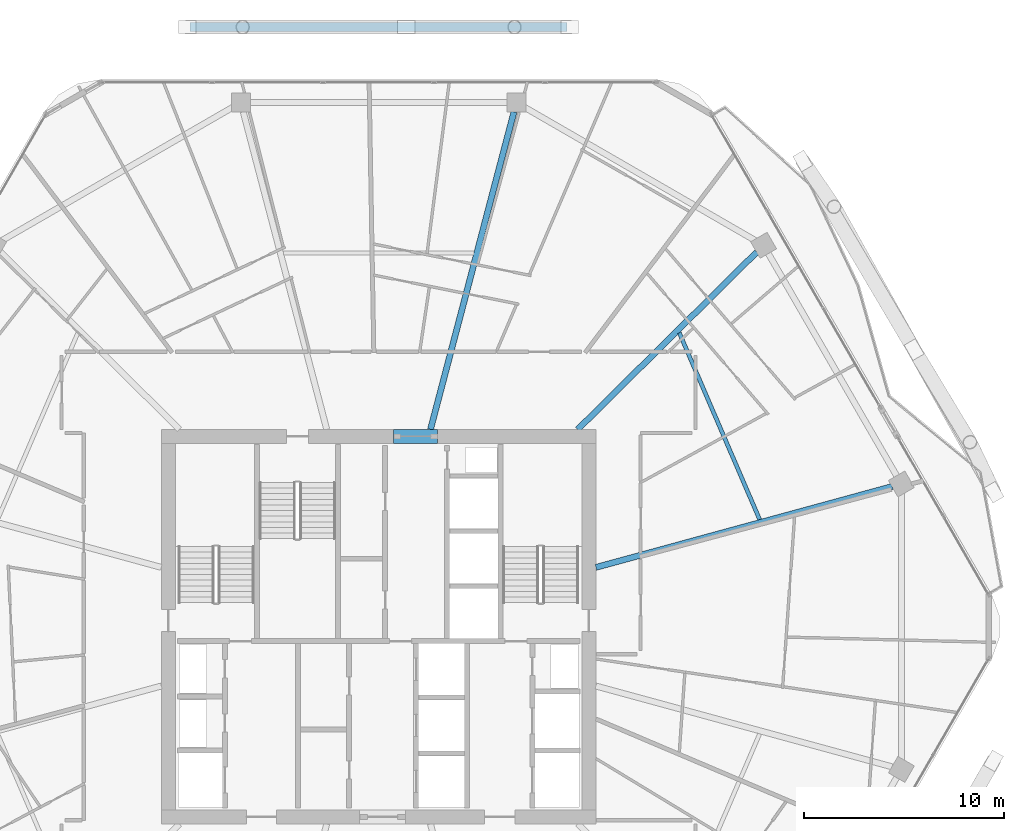
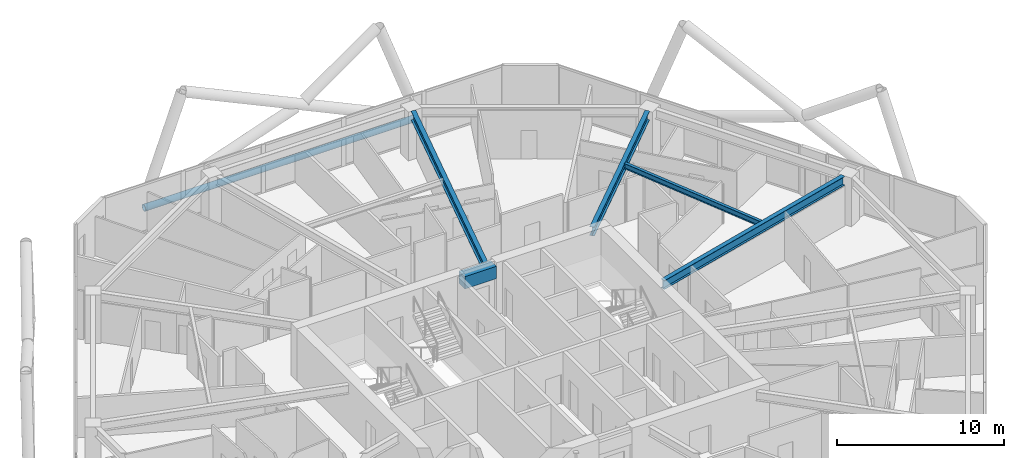
# One storey, part 15 of 29: 5 beams, 1 member.
"""IFC4 building model written with IfcOpenShell, lengths in metres."""

import ifcopenshell
import ifcopenshell.guid

model = None  # the IFC model being written
_history = None  # IfcOwnerHistory: only IFC2X3 demands one
_inside = {}  # id of a spatial element -> (the spatial element, [elements in it])
_under = {}  # id of a project, library or spatial element -> (it, [spatial elements below it])
_declared = {}  # id of a project -> (the project, [libraries it declares])
_typed = {}  # id of a type object -> (the type object, [elements of that type])
_made_of = {}  # id of a material, layer set ... -> (it, [elements and type objects made of it])


def new_model(schema):
    """Start an empty IFC model of exactly this schema.

    Asked for "IFC4X3", IfcOpenShell would pick the latest addendum, in which some entities
    have other attributes; the version numbers below select the first issue.
    IFC2X3 requires an IfcOwnerHistory on every rooted entity: one is made here for all.
    """
    global model, _history
    if schema == "IFC4X3":
        model = ifcopenshell.file(schema_version=(4, 3, 0, 0))
    else:
        model = ifcopenshell.file(schema=schema)
    _inside.clear()
    _under.clear()
    _declared.clear()
    _typed.clear()
    _made_of.clear()
    _history = None
    if model.schema == "IFC2X3":
        org = make("IfcOrganization", Name="unknown")
        user = make(
            "IfcPersonAndOrganization",
            ThePerson=make("IfcPerson", FamilyName="unknown"),
            TheOrganization=org,
        )
        app = make(
            "IfcApplication",
            ApplicationDeveloper=org,
            Version="unknown",
            ApplicationFullName="unknown",
            ApplicationIdentifier="unknown",
        )
        _history = make(
            "IfcOwnerHistory",
            OwningUser=user,
            OwningApplication=app,
            ChangeAction="ADDED",
            CreationDate=0,
        )
    return model


def make(cls, **values):
    """One entity of the class cls with the attributes given. An attribute that is None is left unset."""
    return model.create_entity(
        cls, **{name: value for name, value in values.items() if value is not None}
    )


def rooted(cls, **values):
    """An entity with a GlobalId (a new one), such as an element, a storey or a relation."""
    return make(cls, GlobalId=ifcopenshell.guid.new(), OwnerHistory=_history, **values)


def si_unit(unit_type, name, prefix=None):
    """IfcSIUnit, for example si_unit("LENGTHUNIT", "METRE", prefix="MILLI")."""
    return make("IfcSIUnit", UnitType=unit_type, Prefix=prefix, Name=name)


def assignment(units):
    """IfcUnitAssignment: the units of a project."""
    return None if units is None else make("IfcUnitAssignment", Units=units)


def point(xyz):
    """IfcCartesianPoint."""
    return None if xyz is None else make("IfcCartesianPoint", Coordinates=xyz)


def direction(xyz):
    """IfcDirection."""
    return None if xyz is None else make("IfcDirection", DirectionRatios=xyz)


def frame(location, z_axis=None, x_axis=None):
    """IfcAxis2Placement3D, a coordinate frame: its origin and axes. An axis left out is left unset."""
    return make(
        "IfcAxis2Placement3D",
        Location=point(location),
        Axis=direction(z_axis),
        RefDirection=direction(x_axis),
    )


def frame_2d(location, x_axis=None):
    """IfcAxis2Placement2D, a coordinate frame in the plane: its origin and x axis."""
    return make(
        "IfcAxis2Placement2D", Location=point(location), RefDirection=direction(x_axis)
    )


def origin():
    """The frame at (0, 0, 0) with its axes left unset."""
    return frame((0.0, 0.0, 0.0))


def origin_2d():
    """The frame at (0, 0) in the plane with its x axis left unset."""
    return frame_2d((0.0, 0.0))


def place(relative_to, where):
    """IfcLocalPlacement: puts the frame where relative to a parent placement (None: the world)."""
    return make(
        "IfcLocalPlacement", PlacementRelTo=relative_to, RelativePlacement=where
    )


def context(
    kind, dimensions, precision=None, world=None, true_north=None, identifier=None
):
    """IfcGeometricRepresentationContext, for example the 3D "Model" context."""
    return make(
        "IfcGeometricRepresentationContext",
        ContextIdentifier=identifier,
        ContextType=kind,
        CoordinateSpaceDimension=dimensions,
        Precision=precision,
        WorldCoordinateSystem=world,
        TrueNorth=true_north,
    )


def subcontext(parent, identifier, kind, view, scale=None):
    """IfcGeometricRepresentationSubContext, for example "Body" below "Model"."""
    return make(
        "IfcGeometricRepresentationSubContext",
        ContextIdentifier=identifier,
        ContextType=kind,
        ParentContext=parent,
        TargetScale=scale,
        TargetView=view,
    )


def project(units=None, contexts=None):
    """IfcProject with its units and contexts."""
    return rooted(
        "IfcProject",
        Name="project",
        RepresentationContexts=contexts,
        UnitsInContext=assignment(units),
    )


def spatial(cls, under=None, at=None, **own):
    """A site, building, storey or space (cls), placed at a placement, below another one or the project."""
    s = rooted(cls, ObjectPlacement=at, **own)
    if under is not None:
        _under.setdefault(under.id(), (under, []))[1].append(s)
    return s


def profile(cls, at=None, kind="AREA", **sizes):
    """A parametric profile (cls). Its sizes go by their IFC names, for example OverallWidth=200.0."""
    return make(cls, ProfileType=kind, Position=at, **sizes)


def rectangle(**sizes):
    """IfcRectangleProfileDef."""
    return profile("IfcRectangleProfileDef", **sizes)


def hollow_circle(**sizes):
    """IfcCircleHollowProfileDef."""
    return profile("IfcCircleHollowProfileDef", **sizes)


def i_section(**sizes):
    """IfcIShapeProfileDef."""
    return profile("IfcIShapeProfileDef", **sizes)


def extrude(swept, where, along, depth):
    """IfcExtrudedAreaSolid: the profile swept, set in the frame where, extruded along a direction by depth."""
    return make(
        "IfcExtrudedAreaSolid",
        SweptArea=swept,
        Position=where,
        ExtrudedDirection=direction(along),
        Depth=depth,
    )


def shape(context_of_items, identifier, shape_type, items):
    """IfcShapeRepresentation: the items that make up one representation, for example the "Body"."""
    return make(
        "IfcShapeRepresentation",
        ContextOfItems=context_of_items,
        RepresentationIdentifier=identifier,
        RepresentationType=shape_type,
        Items=items,
    )


def material(Name=None, Category=None):
    """IfcMaterial."""
    return make("IfcMaterial", Name=Name, Category=Category)


def material_profile(
    of_material, cross_section, Name=None, Category=None, Priority=None
):
    """IfcMaterialProfile: a cross section and its material."""
    return make(
        "IfcMaterialProfile",
        Name=Name,
        Material=of_material,
        Profile=cross_section,
        Priority=Priority,
        Category=Category,
    )


def profile_set(profiles, Name=None, composite=None):
    """IfcMaterialProfileSet."""
    return make(
        "IfcMaterialProfileSet",
        Name=Name,
        MaterialProfiles=profiles,
        CompositeProfile=composite,
    )


def made_of(thing, what):
    """Note that an element or type object is made of a material, layer set ...; save() writes the relation."""
    if what is not None:
        _made_of.setdefault(what.id(), (what, []))[1].append(thing)
    return thing


def type_object(cls, material=None, **own):
    """A type object (cls), such as IfcWallType, which elements share."""
    return made_of(rooted(cls, **own), material)


def element(
    cls,
    number,
    at=None,
    inside=None,
    cuts=None,
    type_object=None,
    material=None,
    context=None,
    identifier="Body",
    shape_type=None,
    held_by="IfcProductDefinitionShape",
    body=None,
    shapes=None,
    **own,
):
    """One element of the class cls, such as IfcWall. Its Tag is "e" and its number.

    at: its placement. inside: the storey or other place that contains it. cuts: it is an
    opening in that element (IfcRelVoidsElement). A single representation is given by context,
    identifier, shape_type and body (its items); several are given by shapes. held_by: the class
    of the entity that holds the representations. save() writes the other relations.
    """
    e = rooted(cls, Tag="e%d" % number, ObjectPlacement=at, **own)
    if body is not None:
        shapes = [shape(context, identifier, shape_type, body)]
    if shapes is not None:
        e.Representation = make(held_by, Representations=shapes)
    if inside is not None:
        _inside.setdefault(inside.id(), (inside, []))[1].append(e)
    if cuts is not None:
        rooted(
            "IfcRelVoidsElement", RelatingBuildingElement=cuts, RelatedOpeningElement=e
        )
    if type_object is not None:
        _typed.setdefault(type_object.id(), (type_object, []))[1].append(e)
    return made_of(e, material)


def aggregate(whole, parts):
    """IfcRelAggregates: a whole, such as a stair, and the parts it consists of."""
    return rooted("IfcRelAggregates", RelatingObject=whole, RelatedObjects=parts)


def save(model, path):
    """Write the relations noted so far, then the file.

    IfcRelAggregates (storeys below a building ...), IfcRelContainedInSpatialStructure (elements
    in a storey), IfcRelDefinesByType, IfcRelAssociatesMaterial and IfcRelDeclares: one each for
    every whole, place, type object, material and project.
    """
    for whole, parts in _under.values():
        aggregate(whole, parts)
    for where, things in _inside.values():
        rooted(
            "IfcRelContainedInSpatialStructure",
            RelatedElements=things,
            RelatingStructure=where,
        )
    for kind, things in _typed.values():
        rooted("IfcRelDefinesByType", RelatedObjects=things, RelatingType=kind)
    for what, things in _made_of.values():
        rooted("IfcRelAssociatesMaterial", RelatedObjects=things, RelatingMaterial=what)
    for by, libraries in _declared.values():
        rooted("IfcRelDeclares", RelatingContext=by, RelatedDefinitions=libraries)
    model.write(path)


model = new_model("IFC4")

# Units and contexts
model_context = context("Model", 3, precision=1e-05, world=origin(), true_north=direction((0.0, 1.0)))
body_context = subcontext(model_context, "Body", "Model", "MODEL_VIEW")
ifc_project = project(units=[si_unit("LENGTHUNIT", "METRE"), si_unit("AREAUNIT", "SQUARE_METRE"), si_unit("VOLUMEUNIT", "CUBIC_METRE"), si_unit("PLANEANGLEUNIT", "RADIAN"), si_unit("MASSUNIT", "GRAM", prefix="KILO")], contexts=[model_context])

# Site, building, storey
site_placement = place(None, origin())
site = spatial("IfcSite", under=ifc_project, at=site_placement, CompositionType="ELEMENT")
building_placement = place(site_placement, origin())
building = spatial("IfcBuilding", under=site, at=building_placement, Name="Zuhravey Tower", CompositionType="ELEMENT")
storey_placement = place(building_placement, frame((0.0, 0.0, 192.199951171875)))
storey = spatial("IfcBuildingStorey", under=building, at=storey_placement, Name="L48", CompositionType="ELEMENT", Elevation=192.199951171875)

# Beam
ifc_material_1 = material(Name="Concrete C60/75", Category="concrete")
ifc_material_profile_1 = material_profile(ifc_material_1, rectangle(XDim=0.699951171875, YDim=0.89990234375, at=origin_2d()), Name="RC-700x900")
ifc_profile_set_1 = profile_set([ifc_material_profile_1], Name="Concrete C60/75")
beam_type_1 = type_object("IfcBeamType", Name="Core Coupling Beam RC700x900", PredefinedType="LINTEL", material=ifc_profile_set_1)
beam_1_placement = place(storey_placement, frame((36.751953125, 41.5, 3.10009765625), z_axis=(1.0, 0.0, 0.0), x_axis=(0.0, 1.0, 0.0)))
element("IfcBeam", 1, at=beam_1_placement, inside=storey, type_object=beam_type_1, Name="L48 CB1 BM-L48-CB-N", PredefinedType="LINTEL", context=body_context, shape_type="SweptSolid", body=[
    extrude(rectangle(XDim=0.699951171875, YDim=0.89990234375, at=origin_2d()), origin(), (0.0, 0.0, 1.0), 2.196044921875),
])

# Member
ifc_material_2 = material(Name="Steel SM355", Category="steel")
ifc_material_profile_2 = material_profile(ifc_material_2, hollow_circle(Radius=0.228515625, WallThickness=0.02197265625, at=origin_2d()), Name="CHS-457.2x22")
ifc_profile_set_2 = profile_set([ifc_material_profile_2], Name="Steel SM355")
member_type = type_object("IfcMemberType", Name="Exoskeleton Ring Tie CHS457x22", PredefinedType="CHORD", material=ifc_profile_set_2)
member_placement = place(storey_placement, frame((45.4150390625, 61.943115234375, -0.4638671875), z_axis=(-1.0, 0.0, 0.0), x_axis=(0.0, -1.0, 0.0)))
element("IfcMember", 2, at=member_placement, inside=storey, type_object=member_type, Name="L48 Exoskeleton Face 2 Tie EXR1", PredefinedType="CHORD", context=body_context, shape_type="SweptSolid", body=[
    extrude(hollow_circle(Radius=0.228515625, WallThickness=0.02197265625, at=origin_2d()), origin(), (0.0, 0.0, 1.0), 18.830078125),
])

# Beams
ifc_material_profile_3 = material_profile(ifc_material_2, i_section(OverallWidth=0.300048828125, OverallDepth=0.64990234375, WebThickness=0.012939453125, FlangeThickness=0.02197265625, at=origin_2d()), Name="H-650x300x13x22")
ifc_profile_set_3 = profile_set([ifc_material_profile_3], Name="Steel SM355")
beam_type_2 = type_object("IfcBeamType", Name="Radial Primary Girder H650x300", PredefinedType="BEAM", material=ifc_profile_set_3)
beam_2_placement = place(storey_placement, frame((46.85302734375, 34.96240234375, 3.22509765625), z_axis=(0.964701703464, 0.263345065139, 0.0), x_axis=(-0.263345065139, 0.964701703464, 0.0)))
element("IfcBeam", 3, at=beam_2_placement, inside=storey, type_object=beam_type_2, Name="L48 RG2 BM-L48-RAD-01", PredefinedType="BEAM", context=body_context, shape_type="SweptSolid", body=[
    extrude(i_section(OverallWidth=0.300048828125, OverallDepth=0.64990234375, WebThickness=0.012939453125, FlangeThickness=0.02197265625, at=origin_2d()), origin(), (0.0, 0.0, 1.0), 15.334716796875),
])
beam_3_placement = place(storey_placement, frame((45.945556640625, 41.85302734375, 3.22509765625), z_axis=(0.710406645816, 0.703791444663, 0.0), x_axis=(-0.703791444663, 0.710406645816, 0.0)))
element("IfcBeam", 4, at=beam_3_placement, inside=storey, type_object=beam_type_2, Name="L48 RG2 BM-L48-RAD-02", PredefinedType="BEAM", context=body_context, shape_type="SweptSolid", body=[
    extrude(i_section(OverallWidth=0.300048828125, OverallDepth=0.64990234375, WebThickness=0.012939453125, FlangeThickness=0.02197265625, at=origin_2d()), origin(), (0.0, 0.0, 1.0), 12.5849609375),
])
beam_4_placement = place(storey_placement, frame((38.5908203125, 41.85302734375, 3.22509765625), z_axis=(0.254299806285, 0.967125435775, 0.0), x_axis=(-0.967125435775, 0.254299806285, 0.0)))
element("IfcBeam", 5, at=beam_4_placement, inside=storey, type_object=beam_type_2, Name="L48 RG2 BM-L48-RAD-03", PredefinedType="BEAM", context=body_context, shape_type="SweptSolid", body=[
    extrude(i_section(OverallWidth=0.300048828125, OverallDepth=0.64990234375, WebThickness=0.012939453125, FlangeThickness=0.02197265625, at=origin_2d()), origin(), (0.0, 0.0, 1.0), 16.396728515625),
])
ifc_material_profile_4 = material_profile(ifc_material_2, i_section(OverallWidth=0.199951171875, OverallDepth=0.39990234375, WebThickness=0.008056640625, FlangeThickness=0.012939453125, at=origin_2d()), Name="H-400x200x8x13")
ifc_profile_set_4 = profile_set([ifc_material_profile_4], Name="Steel SM355")
beam_type_3 = type_object("IfcBeamType", Name="Secondary Floor Joist H400x200", PredefinedType="JOIST", material=ifc_profile_set_4)
beam_5_placement = place(storey_placement, frame((55.029541015625, 37.3525390625, 3.35009765625), z_axis=(-0.395265853487, 0.918566766799, 0.0), x_axis=(-0.918566766799, -0.395265853487, 0.0)))
element("IfcBeam", 6, at=beam_5_placement, inside=storey, type_object=beam_type_3, Name="L48 SJ2 BM-L48-SJ-01-1", PredefinedType="JOIST", context=body_context, shape_type="SweptSolid", body=[
    extrude(i_section(OverallWidth=0.199951171875, OverallDepth=0.39990234375, WebThickness=0.008056640625, FlangeThickness=0.012939453125, at=origin_2d()), origin(), (0.0, 0.0, 1.0), 10.150146484375),
])

save(model, "model.ifc")
